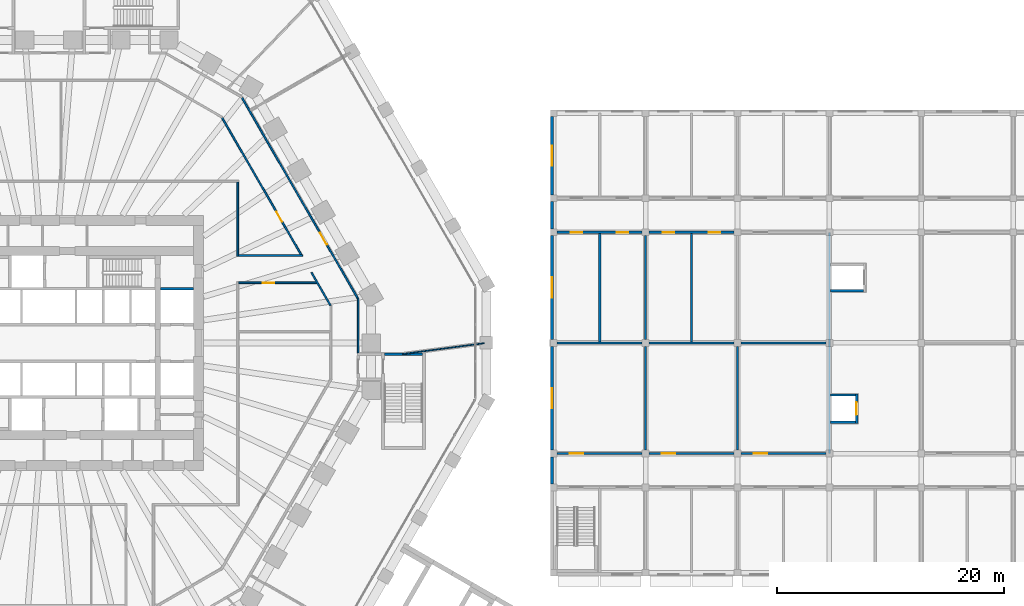
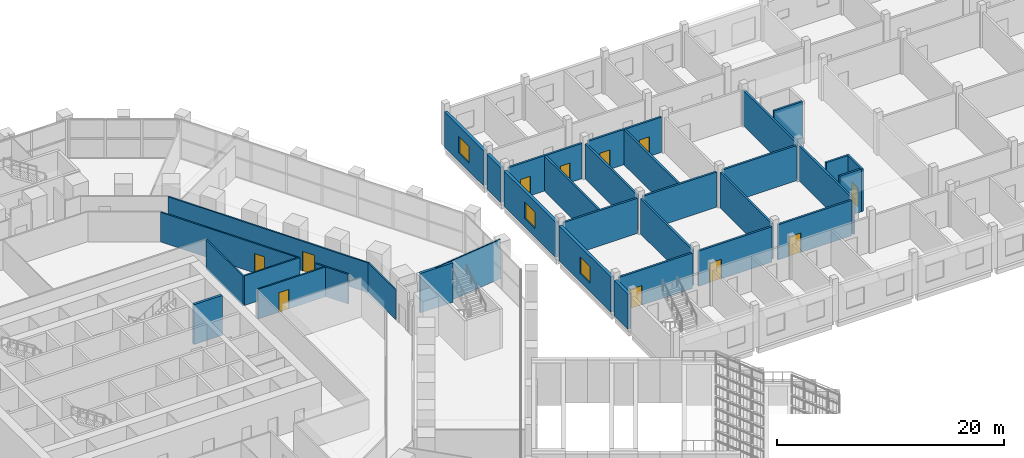
# One storey, part 24 of 38: 33 walls, 11 doors, 3 windows, 14 openings.
"""IFC4 building model written with IfcOpenShell, lengths in metres."""

import ifcopenshell
import ifcopenshell.guid

model = None  # the IFC model being written
_history = None  # IfcOwnerHistory: only IFC2X3 demands one
_inside = {}  # id of a spatial element -> (the spatial element, [elements in it])
_under = {}  # id of a project, library or spatial element -> (it, [spatial elements below it])
_declared = {}  # id of a project -> (the project, [libraries it declares])
_typed = {}  # id of a type object -> (the type object, [elements of that type])
_made_of = {}  # id of a material, layer set ... -> (it, [elements and type objects made of it])


def new_model(schema):
    """Start an empty IFC model of exactly this schema.

    Asked for "IFC4X3", IfcOpenShell would pick the latest addendum, in which some entities
    have other attributes; the version numbers below select the first issue.
    IFC2X3 requires an IfcOwnerHistory on every rooted entity: one is made here for all.
    """
    global model, _history
    if schema == "IFC4X3":
        model = ifcopenshell.file(schema_version=(4, 3, 0, 0))
    else:
        model = ifcopenshell.file(schema=schema)
    _inside.clear()
    _under.clear()
    _declared.clear()
    _typed.clear()
    _made_of.clear()
    _history = None
    if model.schema == "IFC2X3":
        org = make("IfcOrganization", Name="unknown")
        user = make(
            "IfcPersonAndOrganization",
            ThePerson=make("IfcPerson", FamilyName="unknown"),
            TheOrganization=org,
        )
        app = make(
            "IfcApplication",
            ApplicationDeveloper=org,
            Version="unknown",
            ApplicationFullName="unknown",
            ApplicationIdentifier="unknown",
        )
        _history = make(
            "IfcOwnerHistory",
            OwningUser=user,
            OwningApplication=app,
            ChangeAction="ADDED",
            CreationDate=0,
        )
    return model


def make(cls, **values):
    """One entity of the class cls with the attributes given. An attribute that is None is left unset."""
    return model.create_entity(
        cls, **{name: value for name, value in values.items() if value is not None}
    )


def rooted(cls, **values):
    """An entity with a GlobalId (a new one), such as an element, a storey or a relation."""
    return make(cls, GlobalId=ifcopenshell.guid.new(), OwnerHistory=_history, **values)


def si_unit(unit_type, name, prefix=None):
    """IfcSIUnit, for example si_unit("LENGTHUNIT", "METRE", prefix="MILLI")."""
    return make("IfcSIUnit", UnitType=unit_type, Prefix=prefix, Name=name)


def assignment(units):
    """IfcUnitAssignment: the units of a project."""
    return None if units is None else make("IfcUnitAssignment", Units=units)


def point(xyz):
    """IfcCartesianPoint."""
    return None if xyz is None else make("IfcCartesianPoint", Coordinates=xyz)


def direction(xyz):
    """IfcDirection."""
    return None if xyz is None else make("IfcDirection", DirectionRatios=xyz)


def frame(location, z_axis=None, x_axis=None):
    """IfcAxis2Placement3D, a coordinate frame: its origin and axes. An axis left out is left unset."""
    return make(
        "IfcAxis2Placement3D",
        Location=point(location),
        Axis=direction(z_axis),
        RefDirection=direction(x_axis),
    )


def frame_2d(location, x_axis=None):
    """IfcAxis2Placement2D, a coordinate frame in the plane: its origin and x axis."""
    return make(
        "IfcAxis2Placement2D", Location=point(location), RefDirection=direction(x_axis)
    )


def origin():
    """The frame at (0, 0, 0) with its axes left unset."""
    return frame((0.0, 0.0, 0.0))


def place(relative_to, where):
    """IfcLocalPlacement: puts the frame where relative to a parent placement (None: the world)."""
    return make(
        "IfcLocalPlacement", PlacementRelTo=relative_to, RelativePlacement=where
    )


def context(
    kind, dimensions, precision=None, world=None, true_north=None, identifier=None
):
    """IfcGeometricRepresentationContext, for example the 3D "Model" context."""
    return make(
        "IfcGeometricRepresentationContext",
        ContextIdentifier=identifier,
        ContextType=kind,
        CoordinateSpaceDimension=dimensions,
        Precision=precision,
        WorldCoordinateSystem=world,
        TrueNorth=true_north,
    )


def subcontext(parent, identifier, kind, view, scale=None):
    """IfcGeometricRepresentationSubContext, for example "Body" below "Model"."""
    return make(
        "IfcGeometricRepresentationSubContext",
        ContextIdentifier=identifier,
        ContextType=kind,
        ParentContext=parent,
        TargetScale=scale,
        TargetView=view,
    )


def project(units=None, contexts=None):
    """IfcProject with its units and contexts."""
    return rooted(
        "IfcProject",
        Name="project",
        RepresentationContexts=contexts,
        UnitsInContext=assignment(units),
    )


def spatial(cls, under=None, at=None, **own):
    """A site, building, storey or space (cls), placed at a placement, below another one or the project."""
    s = rooted(cls, ObjectPlacement=at, **own)
    if under is not None:
        _under.setdefault(under.id(), (under, []))[1].append(s)
    return s


def profile(cls, at=None, kind="AREA", **sizes):
    """A parametric profile (cls). Its sizes go by their IFC names, for example OverallWidth=200.0."""
    return make(cls, ProfileType=kind, Position=at, **sizes)


def rectangle(**sizes):
    """IfcRectangleProfileDef."""
    return profile("IfcRectangleProfileDef", **sizes)


def extrude(swept, where, along, depth):
    """IfcExtrudedAreaSolid: the profile swept, set in the frame where, extruded along a direction by depth."""
    return make(
        "IfcExtrudedAreaSolid",
        SweptArea=swept,
        Position=where,
        ExtrudedDirection=direction(along),
        Depth=depth,
    )


def shape(context_of_items, identifier, shape_type, items):
    """IfcShapeRepresentation: the items that make up one representation, for example the "Body"."""
    return make(
        "IfcShapeRepresentation",
        ContextOfItems=context_of_items,
        RepresentationIdentifier=identifier,
        RepresentationType=shape_type,
        Items=items,
    )


def material(Name=None, Category=None):
    """IfcMaterial."""
    return make("IfcMaterial", Name=Name, Category=Category)


def layer(
    of_material, thickness, ventilated=None, Name=None, Category=None, Priority=None
):
    """IfcMaterialLayer: one layer of a wall or slab, of a material (None: an air gap)."""
    return make(
        "IfcMaterialLayer",
        Material=of_material,
        LayerThickness=thickness,
        IsVentilated=ventilated,
        Name=Name,
        Category=Category,
        Priority=Priority,
    )


def layer_set(layers, Name=None):
    """IfcMaterialLayerSet."""
    return make("IfcMaterialLayerSet", MaterialLayers=layers, LayerSetName=Name)


def made_of(thing, what):
    """Note that an element or type object is made of a material, layer set ...; save() writes the relation."""
    if what is not None:
        _made_of.setdefault(what.id(), (what, []))[1].append(thing)
    return thing


def type_object(cls, material=None, **own):
    """A type object (cls), such as IfcWallType, which elements share."""
    return made_of(rooted(cls, **own), material)


def element(
    cls,
    number,
    at=None,
    inside=None,
    cuts=None,
    type_object=None,
    material=None,
    context=None,
    identifier="Body",
    shape_type=None,
    held_by="IfcProductDefinitionShape",
    body=None,
    shapes=None,
    **own,
):
    """One element of the class cls, such as IfcWall. Its Tag is "e" and its number.

    at: its placement. inside: the storey or other place that contains it. cuts: it is an
    opening in that element (IfcRelVoidsElement). A single representation is given by context,
    identifier, shape_type and body (its items); several are given by shapes. held_by: the class
    of the entity that holds the representations. save() writes the other relations.
    """
    e = rooted(cls, Tag="e%d" % number, ObjectPlacement=at, **own)
    if body is not None:
        shapes = [shape(context, identifier, shape_type, body)]
    if shapes is not None:
        e.Representation = make(held_by, Representations=shapes)
    if inside is not None:
        _inside.setdefault(inside.id(), (inside, []))[1].append(e)
    if cuts is not None:
        rooted(
            "IfcRelVoidsElement", RelatingBuildingElement=cuts, RelatedOpeningElement=e
        )
    if type_object is not None:
        _typed.setdefault(type_object.id(), (type_object, []))[1].append(e)
    return made_of(e, material)


def fill(opening, filler):
    """IfcRelFillsElement: the door or window that sits in an opening."""
    return rooted(
        "IfcRelFillsElement",
        RelatingOpeningElement=opening,
        RelatedBuildingElement=filler,
    )


def aggregate(whole, parts):
    """IfcRelAggregates: a whole, such as a stair, and the parts it consists of."""
    return rooted("IfcRelAggregates", RelatingObject=whole, RelatedObjects=parts)


def save(model, path):
    """Write the relations noted so far, then the file.

    IfcRelAggregates (storeys below a building ...), IfcRelContainedInSpatialStructure (elements
    in a storey), IfcRelDefinesByType, IfcRelAssociatesMaterial and IfcRelDeclares: one each for
    every whole, place, type object, material and project.
    """
    for whole, parts in _under.values():
        aggregate(whole, parts)
    for where, things in _inside.values():
        rooted(
            "IfcRelContainedInSpatialStructure",
            RelatedElements=things,
            RelatingStructure=where,
        )
    for kind, things in _typed.values():
        rooted("IfcRelDefinesByType", RelatedObjects=things, RelatingType=kind)
    for what, things in _made_of.values():
        rooted("IfcRelAssociatesMaterial", RelatedObjects=things, RelatingMaterial=what)
    for by, libraries in _declared.values():
        rooted("IfcRelDeclares", RelatingContext=by, RelatedDefinitions=libraries)
    model.write(path)


model = new_model("IFC4")

# Units and contexts
model_context = context("Model", 3, precision=1e-05, world=origin(), true_north=direction((0.0, 1.0)))
body_context = subcontext(model_context, "Body", "Model", "MODEL_VIEW")
ifc_project = project(units=[si_unit("LENGTHUNIT", "METRE"), si_unit("AREAUNIT", "SQUARE_METRE"), si_unit("VOLUMEUNIT", "CUBIC_METRE"), si_unit("PLANEANGLEUNIT", "RADIAN"), si_unit("MASSUNIT", "GRAM", prefix="KILO")], contexts=[model_context])

# Site, building, storey
site_placement = place(None, origin())
site = spatial("IfcSite", under=ifc_project, at=site_placement, CompositionType="ELEMENT")
building_placement = place(site_placement, origin())
building = spatial("IfcBuilding", under=site, at=building_placement, Name="Frailejon Research Tower", CompositionType="ELEMENT")
storey_placement = place(building_placement, frame((0.0, 0.0, 5.60009765625)))
storey = spatial("IfcBuildingStorey", under=building, at=storey_placement, Name="L01", CompositionType="ELEMENT", Elevation=5.60009765625)

# Wall, opening, door
ifc_material_1 = material(Name="Gypsum board and masonry partition", Category="masonry")
ifc_layer_1 = layer(ifc_material_1, 0.14990234375)
ifc_layer_set_1 = layer_set([ifc_layer_1], Name="Corridor wall EI 60, gypsum on steel studs 150")
wall_type_1 = type_object("IfcWallType", Name="Corridor wall EI 60, gypsum on steel studs 150", PredefinedType="PARTITIONING", material=ifc_layer_set_1)
wall_1_placement = place(storey_placement, frame((15.271728515625, 19.8486328125, 0.0), z_axis=(0.0, 0.0, 1.0), x_axis=(0.500000635496, -0.86602503688, 0.0)))
wall_1 = element("IfcWall", 1, at=wall_1_placement, inside=storey, type_object=wall_type_1, Name="T:IW:L01:001", PredefinedType="PARTITIONING", context=body_context, shape_type="SweptSolid", body=[
    extrude(rectangle(XDim=13.953125, YDim=0.14990234375, at=frame_2d((6.9765625, 0.0))), origin(), (0.0, 0.0, 1.0), 3.199951171875),
])
opening_1_placement = place(wall_1_placement, frame((9.577392578125, 0.0, 0.0)))
opening_1 = element("IfcOpeningElement", 2, at=opening_1_placement, cuts=wall_1, Name="Opening D1033", PredefinedType="OPENING", context=body_context, shape_type="SweptSolid", body=[
    extrude(rectangle(XDim=1.0, YDim=2.10009765625, at=frame_2d((0.5, 1.050048828125))), frame((0.0, 0.0849609375, 0.0), z_axis=(0.0, -1.0, 0.0), x_axis=(1.0, 0.0, 0.0)), (0.0, 0.0, 1.0), 0.169921875),
])
ifc_material_2 = material(Name="Timber door leaf", Category="wood")
door_type_1 = type_object("IfcDoorType", Name="Door single leaf, timber, steel frame 1000", OperationType="NOTDEFINED", PredefinedType="DOOR", material=ifc_material_2)
door_1_placement = place(opening_1_placement, origin())
door_1 = element("IfcDoor", 3, at=door_1_placement, inside=storey, type_object=door_type_1, Name="D1033", OperationType="SINGLE_SWING_LEFT", OverallHeight=2.10009765625, OverallWidth=1.0, PredefinedType="DOOR", context=body_context, shape_type="SweptSolid", body=[
    extrude(rectangle(XDim=1.0, YDim=2.10009765625, at=frame_2d((0.5, 1.050048828125))), frame((0.0, 0.02490234375, 0.0), z_axis=(0.0, -1.0, 0.0), x_axis=(1.0, 0.0, 0.0)), (0.0, 0.0, 1.0), 0.050048828125),
])
fill(opening_1, door_1)

# Wall
wall_2_placement = place(storey_placement, frame((23.151611328125, 6.200439453125, 0.0), z_axis=(0.0, 0.0, 1.0), x_axis=(0.499943416353, -0.866058069904, 0.0)))
element("IfcWall", 4, at=wall_2_placement, inside=storey, type_object=wall_type_1, Name="T:IW:L01:002", PredefinedType="PARTITIONING", context=body_context, shape_type="SweptSolid", body=[
    extrude(rectangle(XDim=3.34765625, YDim=0.14990234375, at=frame_2d((1.673828125, 0.0))), origin(), (0.0, 0.0, 1.0), 3.199951171875),
])

# Wall, opening, door
wall_3_placement = place(storey_placement, frame((16.72509765625, 5.300048828125, 0.0), z_axis=(0.0, 0.0, 1.0), x_axis=(1.0, 0.0, 0.0)))
wall_3 = element("IfcWall", 5, at=wall_3_placement, inside=storey, type_object=wall_type_1, Name="T:IW:L01:003", PredefinedType="PARTITIONING", context=body_context, shape_type="SweptSolid", body=[
    extrude(rectangle(XDim=6.871337890625, YDim=0.14990234375, at=frame_2d((3.435546875, 0.0))), origin(), (0.0, 0.0, 1.0), 3.199951171875),
])
opening_2_placement = place(wall_3_placement, frame((2.137451171875, 0.0, 0.0)))
opening_2 = element("IfcOpeningElement", 6, at=opening_2_placement, cuts=wall_3, Name="Opening D1030", PredefinedType="OPENING", context=body_context, shape_type="SweptSolid", body=[
    extrude(rectangle(XDim=1.0, YDim=2.10009765625, at=frame_2d((0.5, 1.050048828125))), frame((0.0, 0.0849609375, 0.0), z_axis=(0.0, -1.0, 0.0), x_axis=(1.0, 0.0, 0.0)), (0.0, 0.0, 1.0), 0.169921875),
])
door_2_placement = place(opening_2_placement, origin())
door_2 = element("IfcDoor", 7, at=door_2_placement, inside=storey, type_object=door_type_1, Name="D1030", OperationType="SINGLE_SWING_LEFT", OverallHeight=2.10009765625, OverallWidth=1.0, PredefinedType="DOOR", context=body_context, shape_type="SweptSolid", body=[
    extrude(rectangle(XDim=1.0, YDim=2.10009765625, at=frame_2d((0.5, 1.050048828125))), frame((0.0, 0.02490234375, 0.0), z_axis=(0.0, -1.0, 0.0), x_axis=(1.0, 0.0, 0.0)), (0.0, 0.0, 1.0), 0.050048828125),
])
fill(opening_2, door_2)

# Wall
wall_4_placement = place(storey_placement, frame((16.72509765625, 7.699951171875, 0.0), z_axis=(0.0, 0.0, 1.0), x_axis=(1.0, 0.0, 0.0)))
element("IfcWall", 8, at=wall_4_placement, inside=storey, type_object=wall_type_1, Name="T:IW:L01:004", PredefinedType="PARTITIONING", context=body_context, shape_type="SweptSolid", body=[
    extrude(rectangle(XDim=5.635498046875, YDim=0.14990234375, at=frame_2d((2.81787109375, 0.0))), origin(), (0.0, 0.0, 1.0), 3.199951171875),
])

# Wall, opening, door
wall_5_placement = place(storey_placement, frame((17.028564453125, 21.605712890625, 0.0), z_axis=(0.0, 0.0, 1.0), x_axis=(0.499999139641, -0.866025900512, 0.0)))
wall_5 = element("IfcWall", 9, at=wall_5_placement, inside=storey, type_object=wall_type_1, Name="T:IW:L01:006", PredefinedType="PARTITIONING", context=body_context, shape_type="SweptSolid", body=[
    extrude(rectangle(XDim=20.3935546875, YDim=0.14990234375, at=frame_2d((10.19677734375, 0.0))), origin(), (0.0, 0.0, 1.0), 3.199951171875),
])
opening_3_placement = place(wall_5_placement, frame((13.74560546875, 0.0, 0.0)))
opening_3 = element("IfcOpeningElement", 10, at=opening_3_placement, cuts=wall_5, Name="Opening D1031", PredefinedType="OPENING", context=body_context, shape_type="SweptSolid", body=[
    extrude(rectangle(XDim=1.199951171875, YDim=2.10009765625, at=frame_2d((0.60009765625, 1.050048828125))), frame((0.0, 0.0849609375, 0.0), z_axis=(0.0, -1.0, 0.0), x_axis=(1.0, 0.0, 0.0)), (0.0, 0.0, 1.0), 0.169921875),
])
ifc_material_3 = material(Name="Timber door leaf", Category="wood")
door_type_2 = type_object("IfcDoorType", Name="Door single leaf, timber, steel frame 1200", OperationType="NOTDEFINED", PredefinedType="DOOR", material=ifc_material_3)
door_3_placement = place(opening_3_placement, origin())
door_3 = element("IfcDoor", 11, at=door_3_placement, inside=storey, type_object=door_type_2, Name="D1031", OperationType="DOUBLE_DOOR_SINGLE_SWING", OverallHeight=2.10009765625, OverallWidth=1.199951171875, PredefinedType="DOOR", context=body_context, shape_type="SweptSolid", body=[
    extrude(rectangle(XDim=1.199951171875, YDim=2.10009765625, at=frame_2d((0.60009765625, 1.050048828125))), frame((0.0, 0.02490234375, 0.0), z_axis=(0.0, -1.0, 0.0), x_axis=(1.0, 0.0, 0.0)), (0.0, 0.0, 1.0), 0.050048828125),
])
fill(opening_3, door_3)

# Walls
wall_6_placement = place(storey_placement, frame((27.2626953125, -0.893798828125, 0.0), z_axis=(0.0, 0.0, 1.0), x_axis=(0.0, 1.0, 0.0)))
element("IfcWall", 12, at=wall_6_placement, inside=storey, type_object=wall_type_1, Name="T:IW:L01:008", PredefinedType="PARTITIONING", context=body_context, shape_type="SweptSolid", body=[
    extrude(rectangle(XDim=4.84814453125, YDim=0.14990234375, at=frame_2d((2.424072265625, 0.0))), origin(), (0.0, 0.0, 1.0), 3.199951171875),
])
wall_7_placement = place(storey_placement, frame((16.64990234375, 7.625, 0.0), z_axis=(0.0, 0.0, 1.0), x_axis=(0.0, 1.0, 0.0)))
element("IfcWall", 13, at=wall_7_placement, inside=storey, type_object=wall_type_1, Name="T:IW:L01:043", PredefinedType="PARTITIONING", context=body_context, shape_type="SweptSolid", body=[
    extrude(rectangle(XDim=6.550048828125, YDim=0.14990234375, at=frame_2d((3.27490234375, 0.0))), origin(), (0.0, 0.0, 1.0), 3.199951171875),
])
ifc_material_4 = material(Name="Insulated masonry cavity wall", Category="masonry")
ifc_layer_2 = layer(ifc_material_4, 0.300048828125)
ifc_layer_set_2 = layer_set([ifc_layer_2], Name="HC facade wall 300")
wall_type_2 = type_object("IfcWallType", Name="HC facade wall 300", PredefinedType="SOLIDWALL", material=ifc_layer_set_2)
wall_8_placement = place(storey_placement, frame((44.35009765625, -12.449951171875, 0.0), z_axis=(0.0, 0.0, 1.0), x_axis=(0.0, 1.0, 0.0)))
element("IfcWall", 14, at=wall_8_placement, inside=storey, type_object=wall_type_2, Name="HC facade wall", PredefinedType="SOLIDWALL", context=body_context, shape_type="SweptSolid", body=[
    extrude(rectangle(XDim=2.39990234375, YDim=0.300048828125, at=frame_2d((1.199951171875, 0.0))), origin(), (0.0, 0.0, 1.0), 3.7998046875),
])

# Wall, opening, window
wall_9_placement = place(storey_placement, frame((44.35009765625, -9.449951171875, 0.0), z_axis=(0.0, 0.0, 1.0), x_axis=(0.0, 1.0, 0.0)))
wall_9 = element("IfcWall", 15, at=wall_9_placement, inside=storey, type_object=wall_type_2, Name="HC facade wall", PredefinedType="SOLIDWALL", context=body_context, shape_type="SweptSolid", body=[
    extrude(rectangle(XDim=9.14990234375, YDim=0.300048828125, at=frame_2d((4.574951171875, 0.0))), origin(), (0.0, 0.0, 1.0), 3.7998046875),
])
opening_4_placement = place(wall_9_placement, frame((3.675048828125, 0.0, 0.89990234375)))
opening_4 = element("IfcOpeningElement", 16, at=opening_4_placement, cuts=wall_9, Name="Opening HW115", PredefinedType="OPENING", context=body_context, shape_type="SweptSolid", body=[
    extrude(rectangle(XDim=1.800048828125, YDim=1.800048828125, at=frame_2d((0.89990234375, 0.89990234375))), frame((0.0, 0.159912109375, 0.0), z_axis=(0.0, -1.0, 0.0), x_axis=(1.0, 0.0, 0.0)), (0.0, 0.0, 1.0), 0.320068359375),
])
ifc_material_5 = material(Name="Aluminium framed double glazing", Category="aluminium")
window_type = type_object("IfcWindowType", Name="HC window 1800x1800", PartitioningType="SINGLE_PANEL", PredefinedType="WINDOW", material=ifc_material_5)
window_1_placement = place(opening_4_placement, origin())
window_1 = element("IfcWindow", 17, at=window_1_placement, inside=storey, type_object=window_type, Name="Window HW115 (HCW1)", OverallHeight=1.800048828125, OverallWidth=1.800048828125, PartitioningType="SINGLE_PANEL", PredefinedType="WINDOW", context=body_context, shape_type="SweptSolid", body=[
    extrude(rectangle(XDim=1.800048828125, YDim=1.800048828125, at=frame_2d((0.89990234375, 0.89990234375))), frame((0.0, 0.030029296875, 0.0), z_axis=(0.0, -1.0, 0.0), x_axis=(1.0, 0.0, 0.0)), (0.0, 0.0, 1.0), 0.06005859375),
])
fill(opening_4, window_1)

wall_10_placement = place(storey_placement, frame((44.35009765625, 0.300048828125, 0.0), z_axis=(0.0, 0.0, 1.0), x_axis=(0.0, 1.0, 0.0)))
wall_10 = element("IfcWall", 18, at=wall_10_placement, inside=storey, type_object=wall_type_2, Name="HC facade wall", PredefinedType="SOLIDWALL", context=body_context, shape_type="SweptSolid", body=[
    extrude(rectangle(XDim=9.14990234375, YDim=0.300048828125, at=frame_2d((4.574951171875, 0.0))), origin(), (0.0, 0.0, 1.0), 3.7998046875),
])
opening_5_placement = place(wall_10_placement, frame((3.675048828125, 0.0, 0.89990234375)))
opening_5 = element("IfcOpeningElement", 19, at=opening_5_placement, cuts=wall_10, Name="Opening HW117", PredefinedType="OPENING", context=body_context, shape_type="SweptSolid", body=[
    extrude(rectangle(XDim=1.800048828125, YDim=1.800048828125, at=frame_2d((0.89990234375, 0.89990234375))), frame((0.0, 0.159912109375, 0.0), z_axis=(0.0, -1.0, 0.0), x_axis=(1.0, 0.0, 0.0)), (0.0, 0.0, 1.0), 0.320068359375),
])
window_2_placement = place(opening_5_placement, origin())
window_2 = element("IfcWindow", 20, at=window_2_placement, inside=storey, type_object=window_type, Name="Window HW117 (HCW1)", OverallHeight=1.800048828125, OverallWidth=1.800048828125, PartitioningType="SINGLE_PANEL", PredefinedType="WINDOW", context=body_context, shape_type="SweptSolid", body=[
    extrude(rectangle(XDim=1.800048828125, YDim=1.800048828125, at=frame_2d((0.89990234375, 0.89990234375))), frame((0.0, 0.030029296875, 0.0), z_axis=(0.0, -1.0, 0.0), x_axis=(1.0, 0.0, 0.0)), (0.0, 0.0, 1.0), 0.06005859375),
])
fill(opening_5, window_2)

# Wall
wall_11_placement = place(storey_placement, frame((44.35009765625, 10.050048828125, 0.0), z_axis=(0.0, 0.0, 1.0), x_axis=(0.0, 1.0, 0.0)))
element("IfcWall", 21, at=wall_11_placement, inside=storey, type_object=wall_type_2, Name="HC facade wall", PredefinedType="SOLIDWALL", context=body_context, shape_type="SweptSolid", body=[
    extrude(rectangle(XDim=2.39990234375, YDim=0.300048828125, at=frame_2d((1.199951171875, 0.0))), origin(), (0.0, 0.0, 1.0), 3.7998046875),
])

# Wall, opening, window
wall_12_placement = place(storey_placement, frame((44.35009765625, 13.050048828125, 0.0), z_axis=(0.0, 0.0, 1.0), x_axis=(0.0, 1.0, 0.0)))
wall_12 = element("IfcWall", 22, at=wall_12_placement, inside=storey, type_object=wall_type_2, Name="HC facade wall", PredefinedType="SOLIDWALL", context=body_context, shape_type="SweptSolid", body=[
    extrude(rectangle(XDim=6.89990234375, YDim=0.300048828125, at=frame_2d((3.449951171875, 0.0))), origin(), (0.0, 0.0, 1.0), 3.7998046875),
])
opening_6_placement = place(wall_12_placement, frame((2.550048828125, 0.0, 0.89990234375)))
opening_6 = element("IfcOpeningElement", 23, at=opening_6_placement, cuts=wall_12, Name="Opening HW120", PredefinedType="OPENING", context=body_context, shape_type="SweptSolid", body=[
    extrude(rectangle(XDim=1.800048828125, YDim=1.800048828125, at=frame_2d((0.89990234375, 0.89990234375))), frame((0.0, 0.159912109375, 0.0), z_axis=(0.0, -1.0, 0.0), x_axis=(1.0, 0.0, 0.0)), (0.0, 0.0, 1.0), 0.320068359375),
])
window_3_placement = place(opening_6_placement, origin())
window_3 = element("IfcWindow", 24, at=window_3_placement, inside=storey, type_object=window_type, Name="Window HW120 (HCW1)", OverallHeight=1.800048828125, OverallWidth=1.800048828125, PartitioningType="SINGLE_PANEL", PredefinedType="WINDOW", context=body_context, shape_type="SweptSolid", body=[
    extrude(rectangle(XDim=1.800048828125, YDim=1.800048828125, at=frame_2d((0.89990234375, 0.89990234375))), frame((0.0, 0.030029296875, 0.0), z_axis=(0.0, -1.0, 0.0), x_axis=(1.0, 0.0, 0.0)), (0.0, 0.0, 1.0), 0.06005859375),
])
fill(opening_6, window_3)

# Walls
ifc_material_6 = material(Name="Concrete C35/45", Category="concrete")
ifc_layer_3 = layer(ifc_material_6, 0.199951171875)
ifc_layer_set_3 = layer_set([ifc_layer_3], Name="HC fire wall 200")
wall_type_3 = type_object("IfcWallType", Name="HC fire wall 200", PredefinedType="SOLIDWALL", material=ifc_layer_set_3)
for number, where, z_axis, x_axis, name in (
    (25, (68.89990234375, -7.0, 0.0), (0.0, 0.0, 1.0), (1.0, 0.0, 0.0), "HC lift shaft wall"),
    (26, (68.89990234375, -4.60009765625, 0.0), (0.0, 0.0, 1.0), (1.0, 0.0, 0.0), "HC lift shaft wall"),
):
    element("IfcWall", number, at=place(storey_placement, frame(where, z_axis=z_axis, x_axis=x_axis)), inside=storey, type_object=wall_type_3, Name=name, PredefinedType="SOLIDWALL", context=body_context, shape_type="SweptSolid", body=[
        extrude(rectangle(XDim=2.2001953125, YDim=0.199951171875, at=frame_2d((1.10009765625, 0.0))), origin(), (0.0, 0.0, 1.0), 4.599853515625),
    ])

# Wall, opening, door
wall_13_placement = place(storey_placement, frame((71.199951171875, -7.10009765625, 0.0), z_axis=(0.0, 0.0, 1.0), x_axis=(0.0, 1.0, 0.0)))
wall_13 = element("IfcWall", 27, at=wall_13_placement, inside=storey, type_object=wall_type_3, Name="HC lift shaft wall", PredefinedType="SOLIDWALL", context=body_context, shape_type="SweptSolid", body=[
    extrude(rectangle(XDim=2.60009765625, YDim=0.199951171875, at=frame_2d((1.300048828125, 0.0))), origin(), (0.0, 0.0, 1.0), 4.599853515625),
])
opening_7_placement = place(wall_13_placement, frame((0.75, 0.0, 0.0)))
opening_7 = element("IfcOpeningElement", 28, at=opening_7_placement, cuts=wall_13, Name="Opening HLD1P", PredefinedType="OPENING", context=body_context, shape_type="SweptSolid", body=[
    extrude(rectangle(XDim=1.10009765625, YDim=2.10009765625, at=frame_2d((0.550048828125, 1.050048828125))), frame((0.0, 0.10986328125, 0.0), z_axis=(0.0, -1.0, 0.0), x_axis=(1.0, 0.0, 0.0)), (0.0, 0.0, 1.0), 0.219970703125),
])
ifc_material_7 = material(Name="Stainless steel sliding leaf", Category="steel")
door_type_3 = type_object("IfcDoorType", Name="HC lift landing door 1100", OperationType="SLIDING_TO_LEFT", PredefinedType="DOOR", material=ifc_material_7)
door_4_placement = place(opening_7_placement, origin())
door_4 = element("IfcDoor", 29, at=door_4_placement, inside=storey, type_object=door_type_3, Name="Lift landing door HLD1P", OperationType="SLIDING_TO_LEFT", OverallHeight=2.10009765625, OverallWidth=1.10009765625, PredefinedType="DOOR", context=body_context, shape_type="SweptSolid", body=[
    extrude(rectangle(XDim=1.10009765625, YDim=2.10009765625, at=frame_2d((0.550048828125, 1.050048828125))), frame((0.0, 0.02490234375, 0.0), z_axis=(0.0, -1.0, 0.0), x_axis=(1.0, 0.0, 0.0)), (0.0, 0.0, 1.0), 0.050048828125),
])
fill(opening_7, door_4)

# Walls
wall_14_placement = place(storey_placement, frame((68.89990234375, 4.60009765625, 0.0), z_axis=(0.0, 0.0, 1.0), x_axis=(1.0, 0.0, 0.0)))
element("IfcWall", 30, at=wall_14_placement, inside=storey, type_object=wall_type_3, Name="HC lift shaft wall", PredefinedType="SOLIDWALL", context=body_context, shape_type="SweptSolid", body=[
    extrude(rectangle(XDim=2.900146484375, YDim=0.199951171875, at=frame_2d((1.4501953125, 0.0))), origin(), (0.0, 0.0, 1.0), 4.599853515625),
])
ifc_material_8 = material(Name="Masonry blockwork partition", Category="masonry")
ifc_layer_4 = layer(ifc_material_8, 0.199951171875)
ifc_layer_set_4 = layer_set([ifc_layer_4], Name="HC partition 200")
wall_type_4 = type_object("IfcWallType", Name="HC partition 200", PredefinedType="PARTITIONING", material=ifc_layer_set_4)
wall_15_placement = place(storey_placement, frame((48.550048828125, 0.10009765625, 0.0), z_axis=(0.0, 0.0, 1.0), x_axis=(0.0, 1.0, 0.0)))
element("IfcWall", 31, at=wall_15_placement, inside=storey, type_object=wall_type_4, Name="HC partition", PredefinedType="PARTITIONING", context=body_context, shape_type="SweptSolid", body=[
    extrude(rectangle(XDim=9.5498046875, YDim=0.199951171875, at=frame_2d((4.77490234375, 0.0))), origin(), (0.0, 0.0, 1.0), 3.7998046875),
])
for number, where, z_axis, x_axis, name in (
    (32, (52.60009765625, -9.449951171875, 0.0), (0.0, 0.0, 1.0), (0.0, 1.0, 0.0), "HC partition"),
    (33, (52.60009765625, 0.300048828125, 0.0), (0.0, 0.0, 1.0), (0.0, 1.0, 0.0), "HC partition"),
):
    element("IfcWall", number, at=place(storey_placement, frame(where, z_axis=z_axis, x_axis=x_axis)), inside=storey, type_object=wall_type_4, Name=name, PredefinedType="PARTITIONING", context=body_context, shape_type="SweptSolid", body=[
        extrude(rectangle(XDim=9.14990234375, YDim=0.199951171875, at=frame_2d((4.574951171875, 0.0))), origin(), (0.0, 0.0, 1.0), 3.7998046875),
    ])
wall_16_placement = place(storey_placement, frame((56.64990234375, 0.10009765625, 0.0), z_axis=(0.0, 0.0, 1.0), x_axis=(0.0, 1.0, 0.0)))
element("IfcWall", 34, at=wall_16_placement, inside=storey, type_object=wall_type_4, Name="HC partition", PredefinedType="PARTITIONING", context=body_context, shape_type="SweptSolid", body=[
    extrude(rectangle(XDim=9.5498046875, YDim=0.199951171875, at=frame_2d((4.77490234375, 0.0))), origin(), (0.0, 0.0, 1.0), 3.7998046875),
])
wall_17_placement = place(storey_placement, frame((60.699951171875, -9.449951171875, 0.0), z_axis=(0.0, 0.0, 1.0), x_axis=(0.0, 1.0, 0.0)))
element("IfcWall", 35, at=wall_17_placement, inside=storey, type_object=wall_type_4, Name="HC partition", PredefinedType="PARTITIONING", context=body_context, shape_type="SweptSolid", body=[
    extrude(rectangle(XDim=9.14990234375, YDim=0.199951171875, at=frame_2d((4.574951171875, 0.0))), origin(), (0.0, 0.0, 1.0), 3.7998046875),
])

# Wall, opening, door
wall_18_placement = place(storey_placement, frame((44.800048828125, -9.75, 0.0), z_axis=(0.0, 0.0, 1.0), x_axis=(1.0, 0.0, 0.0)))
wall_18 = element("IfcWall", 36, at=wall_18_placement, inside=storey, type_object=wall_type_4, Name="HC partition", PredefinedType="PARTITIONING", context=body_context, shape_type="SweptSolid", body=[
    extrude(rectangle(XDim=7.5, YDim=0.199951171875, at=frame_2d((3.75, 0.0))), origin(), (0.0, 0.0, 1.0), 3.7998046875),
])
opening_8_placement = place(wall_18_placement, frame((1.125, 0.0, 0.0)))
opening_8 = element("IfcOpeningElement", 37, at=opening_8_placement, cuts=wall_18, Name="Opening HD116", PredefinedType="OPENING", context=body_context, shape_type="SweptSolid", body=[
    extrude(rectangle(XDim=1.199951171875, YDim=2.10009765625, at=frame_2d((0.60009765625, 1.050048828125))), frame((0.0, 0.10986328125, 0.0), z_axis=(0.0, -1.0, 0.0), x_axis=(1.0, 0.0, 0.0)), (0.0, 0.0, 1.0), 0.219970703125),
])
ifc_material_9 = material(Name="Timber veneered fire door leaf", Category="wood")
door_type_4 = type_object("IfcDoorType", Name="HC door 1200 left", OperationType="SINGLE_SWING_LEFT", PredefinedType="DOOR", material=ifc_material_9)
door_5_placement = place(opening_8_placement, origin())
door_5 = element("IfcDoor", 38, at=door_5_placement, inside=storey, type_object=door_type_4, Name="Door HD116", OperationType="SINGLE_SWING_LEFT", OverallHeight=2.10009765625, OverallWidth=1.199951171875, PredefinedType="DOOR", context=body_context, shape_type="SweptSolid", body=[
    extrude(rectangle(XDim=1.199951171875, YDim=2.10009765625, at=frame_2d((0.60009765625, 1.050048828125))), frame((0.0, 0.02490234375, 0.0), z_axis=(0.0, -1.0, 0.0), x_axis=(1.0, 0.0, 0.0)), (0.0, 0.0, 1.0), 0.050048828125),
])
fill(opening_8, door_5)

wall_19_placement = place(storey_placement, frame((52.89990234375, -9.75, 0.0), z_axis=(0.0, 0.0, 1.0), x_axis=(1.0, 0.0, 0.0)))
wall_19 = element("IfcWall", 39, at=wall_19_placement, inside=storey, type_object=wall_type_4, Name="HC partition", PredefinedType="PARTITIONING", context=body_context, shape_type="SweptSolid", body=[
    extrude(rectangle(XDim=7.5, YDim=0.199951171875, at=frame_2d((3.75, 0.0))), origin(), (0.0, 0.0, 1.0), 3.7998046875),
])
opening_9_placement = place(wall_19_placement, frame((1.125, 0.0, 0.0)))
opening_9 = element("IfcOpeningElement", 40, at=opening_9_placement, cuts=wall_19, Name="Opening HD117", PredefinedType="OPENING", context=body_context, shape_type="SweptSolid", body=[
    extrude(rectangle(XDim=1.199951171875, YDim=2.10009765625, at=frame_2d((0.60009765625, 1.050048828125))), frame((0.0, 0.10986328125, 0.0), z_axis=(0.0, -1.0, 0.0), x_axis=(1.0, 0.0, 0.0)), (0.0, 0.0, 1.0), 0.219970703125),
])
ifc_material_10 = material(Name="Timber veneered fire door leaf", Category="wood")
door_type_5 = type_object("IfcDoorType", Name="HC door 1200 right", OperationType="SINGLE_SWING_RIGHT", PredefinedType="DOOR", material=ifc_material_10)
door_6_placement = place(opening_9_placement, origin())
door_6 = element("IfcDoor", 41, at=door_6_placement, inside=storey, type_object=door_type_5, Name="Door HD117", OperationType="SINGLE_SWING_RIGHT", OverallHeight=2.10009765625, OverallWidth=1.199951171875, PredefinedType="DOOR", context=body_context, shape_type="SweptSolid", body=[
    extrude(rectangle(XDim=1.199951171875, YDim=2.10009765625, at=frame_2d((0.60009765625, 1.050048828125))), frame((0.0, 0.02490234375, 0.0), z_axis=(0.0, -1.0, 0.0), x_axis=(1.0, 0.0, 0.0)), (0.0, 0.0, 1.0), 0.050048828125),
])
fill(opening_9, door_6)

wall_20_placement = place(storey_placement, frame((61.0, -9.75, 0.0), z_axis=(0.0, 0.0, 1.0), x_axis=(1.0, 0.0, 0.0)))
wall_20 = element("IfcWall", 42, at=wall_20_placement, inside=storey, type_object=wall_type_4, Name="HC partition", PredefinedType="PARTITIONING", context=body_context, shape_type="SweptSolid", body=[
    extrude(rectangle(XDim=7.5, YDim=0.199951171875, at=frame_2d((3.75, 0.0))), origin(), (0.0, 0.0, 1.0), 3.7998046875),
])
opening_10_placement = place(wall_20_placement, frame((1.125, 0.0, 0.0)))
opening_10 = element("IfcOpeningElement", 43, at=opening_10_placement, cuts=wall_20, Name="Opening HD118", PredefinedType="OPENING", context=body_context, shape_type="SweptSolid", body=[
    extrude(rectangle(XDim=1.199951171875, YDim=2.10009765625, at=frame_2d((0.60009765625, 1.050048828125))), frame((0.0, 0.10986328125, 0.0), z_axis=(0.0, -1.0, 0.0), x_axis=(1.0, 0.0, 0.0)), (0.0, 0.0, 1.0), 0.219970703125),
])
door_7_placement = place(opening_10_placement, origin())
door_7 = element("IfcDoor", 44, at=door_7_placement, inside=storey, type_object=door_type_4, Name="Door HD118", OperationType="SINGLE_SWING_LEFT", OverallHeight=2.10009765625, OverallWidth=1.199951171875, PredefinedType="DOOR", context=body_context, shape_type="SweptSolid", body=[
    extrude(rectangle(XDim=1.199951171875, YDim=2.10009765625, at=frame_2d((0.60009765625, 1.050048828125))), frame((0.0, 0.02490234375, 0.0), z_axis=(0.0, -1.0, 0.0), x_axis=(1.0, 0.0, 0.0)), (0.0, 0.0, 1.0), 0.050048828125),
])
fill(opening_10, door_7)

# Walls
for number, where, z_axis, x_axis, name in (
    (45, (44.800048828125, 0.0, 0.0), (0.0, 0.0, 1.0), (1.0, 0.0, 0.0), "HC partition"),
    (46, (52.89990234375, 0.0, 0.0), (0.0, 0.0, 1.0), (1.0, 0.0, 0.0), "HC partition"),
    (47, (61.0, 0.0, 0.0), (0.0, 0.0, 1.0), (1.0, 0.0, 0.0), "HC partition"),
):
    element("IfcWall", number, at=place(storey_placement, frame(where, z_axis=z_axis, x_axis=x_axis)), inside=storey, type_object=wall_type_4, Name=name, PredefinedType="PARTITIONING", context=body_context, shape_type="SweptSolid", body=[
        extrude(rectangle(XDim=7.5, YDim=0.199951171875, at=frame_2d((3.75, 0.0))), origin(), (0.0, 0.0, 1.0), 3.7998046875),
    ])
wall_21_placement = place(storey_placement, frame((68.800048828125, -9.75, 0.0), z_axis=(0.0, 0.0, 1.0), x_axis=(0.0, 1.0, 0.0)))
element("IfcWall", 48, at=wall_21_placement, inside=storey, type_object=wall_type_4, Name="HC partition", PredefinedType="PARTITIONING", context=body_context, shape_type="SweptSolid", body=[
    extrude(rectangle(XDim=19.5, YDim=0.199951171875, at=frame_2d((9.75, 0.0))), origin(), (0.0, 0.0, 1.0), 3.7998046875),
])

# Wall, openings, doors
wall_22_placement = place(storey_placement, frame((44.800048828125, 9.75, 0.0), z_axis=(0.0, 0.0, 1.0), x_axis=(1.0, 0.0, 0.0)))
wall_22 = element("IfcWall", 49, at=wall_22_placement, inside=storey, type_object=wall_type_4, Name="HC partition", PredefinedType="PARTITIONING", context=body_context, shape_type="SweptSolid", body=[
    extrude(rectangle(XDim=7.5, YDim=0.199951171875, at=frame_2d((3.75, 0.0))), origin(), (0.0, 0.0, 1.0), 3.7998046875),
])
opening_11_placement = place(wall_22_placement, frame((1.22509765625, 0.0, 0.0)))
opening_11 = element("IfcOpeningElement", 50, at=opening_11_placement, cuts=wall_22, Name="Opening HD122", PredefinedType="OPENING", context=body_context, shape_type="SweptSolid", body=[
    extrude(rectangle(XDim=1.0, YDim=2.10009765625, at=frame_2d((0.5, 1.050048828125))), frame((0.0, 0.10986328125, 0.0), z_axis=(0.0, -1.0, 0.0), x_axis=(1.0, 0.0, 0.0)), (0.0, 0.0, 1.0), 0.219970703125),
])
opening_12_placement = place(wall_22_placement, frame((5.27490234375, 0.0, 0.0)))
opening_12 = element("IfcOpeningElement", 51, at=opening_12_placement, cuts=wall_22, Name="Opening HD123", PredefinedType="OPENING", context=body_context, shape_type="SweptSolid", body=[
    extrude(rectangle(XDim=1.0, YDim=2.10009765625, at=frame_2d((0.5, 1.050048828125))), frame((0.0, 0.10986328125, 0.0), z_axis=(0.0, -1.0, 0.0), x_axis=(1.0, 0.0, 0.0)), (0.0, 0.0, 1.0), 0.219970703125),
])
ifc_material_11 = material(Name="Timber veneered fire door leaf", Category="wood")
door_type_6 = type_object("IfcDoorType", Name="HC door 1000 left", OperationType="SINGLE_SWING_LEFT", PredefinedType="DOOR", material=ifc_material_11)
door_8_placement = place(opening_11_placement, origin())
door_8 = element("IfcDoor", 52, at=door_8_placement, inside=storey, type_object=door_type_6, Name="Door HD122", OperationType="SINGLE_SWING_LEFT", OverallHeight=2.10009765625, OverallWidth=1.0, PredefinedType="DOOR", context=body_context, shape_type="SweptSolid", body=[
    extrude(rectangle(XDim=1.0, YDim=2.10009765625, at=frame_2d((0.5, 1.050048828125))), frame((0.0, 0.02490234375, 0.0), z_axis=(0.0, -1.0, 0.0), x_axis=(1.0, 0.0, 0.0)), (0.0, 0.0, 1.0), 0.050048828125),
])
fill(opening_11, door_8)
ifc_material_12 = material(Name="Timber veneered fire door leaf", Category="wood")
door_type_7 = type_object("IfcDoorType", Name="HC door 1000 right", OperationType="SINGLE_SWING_RIGHT", PredefinedType="DOOR", material=ifc_material_12)
door_9_placement = place(opening_12_placement, origin())
door_9 = element("IfcDoor", 53, at=door_9_placement, inside=storey, type_object=door_type_7, Name="Door HD123", OperationType="SINGLE_SWING_RIGHT", OverallHeight=2.10009765625, OverallWidth=1.0, PredefinedType="DOOR", context=body_context, shape_type="SweptSolid", body=[
    extrude(rectangle(XDim=1.0, YDim=2.10009765625, at=frame_2d((0.5, 1.050048828125))), frame((0.0, 0.02490234375, 0.0), z_axis=(0.0, -1.0, 0.0), x_axis=(1.0, 0.0, 0.0)), (0.0, 0.0, 1.0), 0.050048828125),
])
fill(opening_12, door_9)

wall_23_placement = place(storey_placement, frame((52.89990234375, 9.75, 0.0), z_axis=(0.0, 0.0, 1.0), x_axis=(1.0, 0.0, 0.0)))
wall_23 = element("IfcWall", 54, at=wall_23_placement, inside=storey, type_object=wall_type_4, Name="HC partition", PredefinedType="PARTITIONING", context=body_context, shape_type="SweptSolid", body=[
    extrude(rectangle(XDim=7.5, YDim=0.199951171875, at=frame_2d((3.75, 0.0))), origin(), (0.0, 0.0, 1.0), 3.7998046875),
])
opening_13_placement = place(wall_23_placement, frame((1.22509765625, 0.0, 0.0)))
opening_13 = element("IfcOpeningElement", 55, at=opening_13_placement, cuts=wall_23, Name="Opening HD124", PredefinedType="OPENING", context=body_context, shape_type="SweptSolid", body=[
    extrude(rectangle(XDim=1.0, YDim=2.10009765625, at=frame_2d((0.5, 1.050048828125))), frame((0.0, 0.10986328125, 0.0), z_axis=(0.0, -1.0, 0.0), x_axis=(1.0, 0.0, 0.0)), (0.0, 0.0, 1.0), 0.219970703125),
])
opening_14_placement = place(wall_23_placement, frame((5.27490234375, 0.0, 0.0)))
opening_14 = element("IfcOpeningElement", 56, at=opening_14_placement, cuts=wall_23, Name="Opening HD125", PredefinedType="OPENING", context=body_context, shape_type="SweptSolid", body=[
    extrude(rectangle(XDim=1.0, YDim=2.10009765625, at=frame_2d((0.5, 1.050048828125))), frame((0.0, 0.10986328125, 0.0), z_axis=(0.0, -1.0, 0.0), x_axis=(1.0, 0.0, 0.0)), (0.0, 0.0, 1.0), 0.219970703125),
])
door_10_placement = place(opening_13_placement, origin())
door_10 = element("IfcDoor", 57, at=door_10_placement, inside=storey, type_object=door_type_6, Name="Door HD124", OperationType="SINGLE_SWING_LEFT", OverallHeight=2.10009765625, OverallWidth=1.0, PredefinedType="DOOR", context=body_context, shape_type="SweptSolid", body=[
    extrude(rectangle(XDim=1.0, YDim=2.10009765625, at=frame_2d((0.5, 1.050048828125))), frame((0.0, 0.02490234375, 0.0), z_axis=(0.0, -1.0, 0.0), x_axis=(1.0, 0.0, 0.0)), (0.0, 0.0, 1.0), 0.050048828125),
])
fill(opening_13, door_10)
door_11_placement = place(opening_14_placement, origin())
door_11 = element("IfcDoor", 58, at=door_11_placement, inside=storey, type_object=door_type_7, Name="Door HD125", OperationType="SINGLE_SWING_RIGHT", OverallHeight=2.10009765625, OverallWidth=1.0, PredefinedType="DOOR", context=body_context, shape_type="SweptSolid", body=[
    extrude(rectangle(XDim=1.0, YDim=2.10009765625, at=frame_2d((0.5, 1.050048828125))), frame((0.0, 0.02490234375, 0.0), z_axis=(0.0, -1.0, 0.0), x_axis=(1.0, 0.0, 0.0)), (0.0, 0.0, 1.0), 0.050048828125),
])
fill(opening_14, door_11)

# Walls
ifc_material_13 = material(Name="Gypsum board and masonry partition", Category="masonry")
ifc_layer_5 = layer(ifc_material_13, 0.10009765625)
ifc_layer_set_5 = layer_set([ifc_layer_5], Name="Partition, gypsum on steel studs 100")
wall_type_5 = type_object("IfcWallType", Name="Partition, gypsum on steel studs 100", PredefinedType="PARTITIONING", material=ifc_layer_set_5)
wall_24_placement = place(storey_placement, frame((31.202392578125, -0.977294921875, 0.0), z_axis=(0.0, 0.0, 1.0), x_axis=(0.991316158705, 0.13150008932, 0.0)))
element("IfcWall", 59, at=wall_24_placement, inside=storey, type_object=wall_type_5, Name="T:IW:L01:070", PredefinedType="PARTITIONING", context=body_context, shape_type="SweptSolid", body=[
    extrude(rectangle(XDim=7.2294921875, YDim=0.10009765625, at=frame_2d((3.61474609375, 0.0))), origin(), (0.0, 0.0, 1.0), 4.25),
])
ifc_material_14 = material(Name="Concrete C70/85", Category="concrete")
ifc_layer_6 = layer(ifc_material_14, 0.25)
ifc_layer_set_6 = layer_set([ifc_layer_6], Name="Shaft wall 250 C70/85")
wall_type_6 = type_object("IfcWallType", Name="Shaft wall 250 C70/85", PredefinedType="SOLIDWALL", material=ifc_layer_set_6)
wall_25_placement = place(storey_placement, frame((9.85009765625, 4.77490234375, 0.0), z_axis=(0.0, 0.0, 1.0), x_axis=(1.0, 0.0, 0.0)))
element("IfcWall", 60, at=wall_25_placement, inside=storey, type_object=wall_type_6, Name="Shaft wall", PredefinedType="SOLIDWALL", context=body_context, shape_type="SweptSolid", body=[
    extrude(rectangle(XDim=2.89990234375, YDim=0.25, at=frame_2d((1.449951171875, 0.0))), origin(), (0.0, 0.0, 1.0), 4.2998046875),
])
ifc_material_15 = material(Name="Concrete C50/60", Category="concrete")
ifc_layer_7 = layer(ifc_material_15, 0.25)
ifc_layer_set_7 = layer_set([ifc_layer_7], Name="Stair enclosure wall EI 120, Concrete C50/60 250")
wall_type_7 = type_object("IfcWallType", Name="Stair enclosure wall EI 120, Concrete C50/60 250", PredefinedType="SOLIDWALL", material=ifc_layer_set_7)
wall_26_placement = place(storey_placement, frame((29.587890625, -0.993896484375, 0.0), z_axis=(0.0, 0.0, 1.0), x_axis=(1.0, 0.0, 0.0)))
element("IfcWall", 61, at=wall_26_placement, inside=storey, type_object=wall_type_7, Name="T:IW:L01:107", PredefinedType="SOLIDWALL", context=body_context, shape_type="SweptSolid", body=[
    extrude(rectangle(XDim=3.349853515625, YDim=0.25, at=frame_2d((1.6748046875, 0.0))), origin(), (0.0, 0.0, 1.0), 4.25),
])

save(model, "model.ifc")
